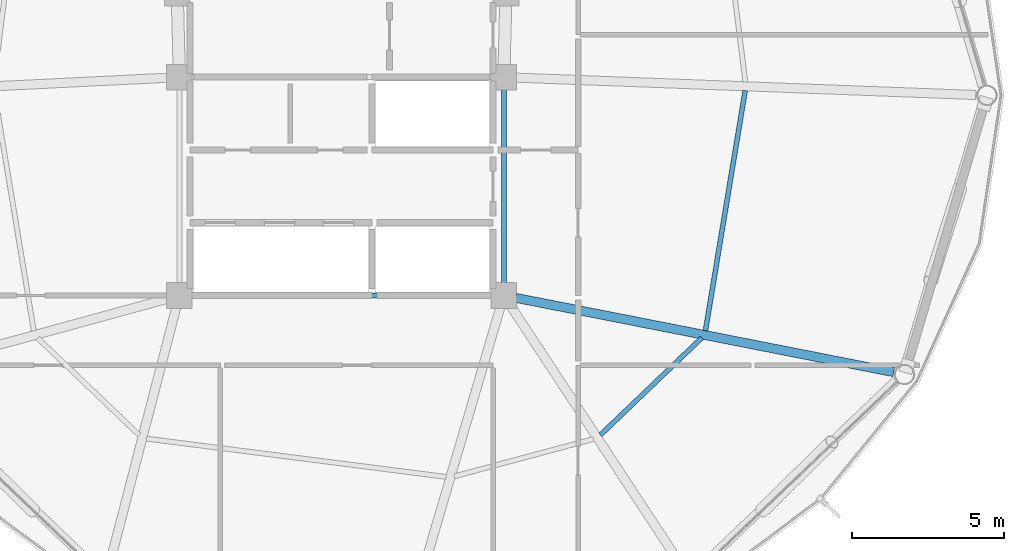
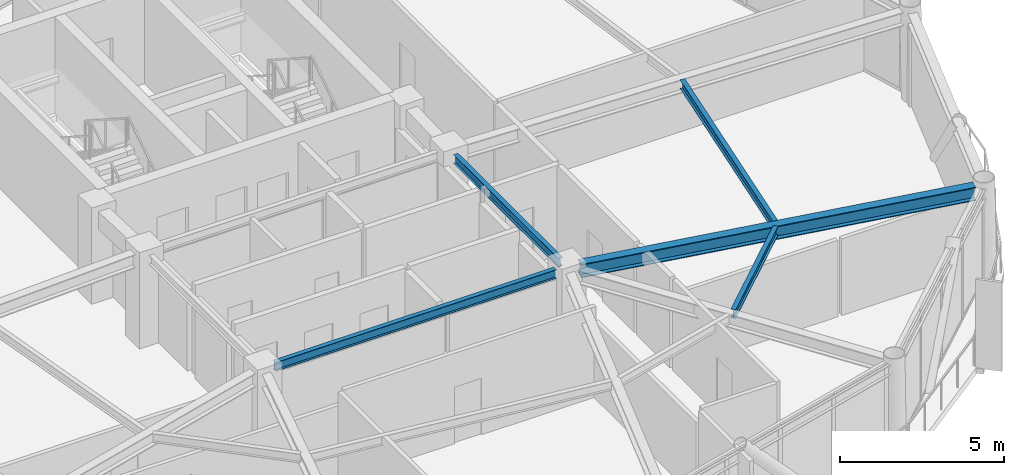
# One storey, part 10 of 28: 5 beams.
"""IFC4 building model written with IfcOpenShell, lengths in metres."""

from ifc_helpers import new_model, si_unit, direction, frame, origin, origin_2d, place, context, subcontext, project, spatial, i_section, extrude, material, material_profile, profile_set, type_object, element, save


model = new_model("IFC4")

# Units and contexts
model_context = context("Model", 3, precision=1e-05, world=origin(), true_north=direction((0.0, 1.0)))
body_context = subcontext(model_context, "Body", "Model", "MODEL_VIEW")
ifc_project = project(units=[si_unit("LENGTHUNIT", "METRE"), si_unit("AREAUNIT", "SQUARE_METRE"), si_unit("VOLUMEUNIT", "CUBIC_METRE"), si_unit("PLANEANGLEUNIT", "RADIAN"), si_unit("MASSUNIT", "GRAM", prefix="KILO")], contexts=[model_context])

# Site, building, storey
site_placement = place(None, origin())
site = spatial("IfcSite", under=ifc_project, at=site_placement, CompositionType="ELEMENT")
building_placement = place(site_placement, origin())
building = spatial("IfcBuilding", under=site, at=building_placement, Name="Varnakorn Sky Granary", CompositionType="ELEMENT")
storey_placement = place(building_placement, frame((0.0, 0.0, 196.800048828125)))
storey = spatial("IfcBuildingStorey", under=building, at=storey_placement, Name="L49", CompositionType="ELEMENT", Elevation=196.800048828125)

# Beams
ifc_material = material(Name="Steel S355JR", Category="steel")
ifc_material_profile_1 = material_profile(ifc_material, i_section(OverallWidth=0.300048828125, OverallDepth=0.5, WebThickness=0.014404296875, FlangeThickness=0.028076171875, at=origin_2d()), Name="HE 500 B")
ifc_profile_set_1 = profile_set([ifc_material_profile_1], Name="Steel S355JR")
beam_type_1 = type_object("IfcBeamType", Name="BM-RAD-Z4", PredefinedType="BEAM", material=ifc_profile_set_1)
beam_1_placement = place(storey_placement, frame((8.747314453125, -6.67822265625, 3.10986328125), z_axis=(0.981202874232, -0.192979065185, 0.0), x_axis=(0.192979065185, 0.981202874232, 0.0)))
element("IfcBeam", 1, at=beam_1_placement, inside=storey, type_object=beam_type_1, Name="Radial Floor Girder RG12 L49", PredefinedType="BEAM", context=body_context, shape_type="SweptSolid", body=[
    extrude(i_section(OverallWidth=0.300048828125, OverallDepth=0.5, WebThickness=0.014404296875, FlangeThickness=0.028076171875, at=origin_2d()), origin(), (0.0, 0.0, 1.0), 12.6953125),
])
ifc_material_profile_2 = material_profile(ifc_material, i_section(OverallWidth=0.159912109375, OverallDepth=0.330078125, WebThickness=0.007568359375, FlangeThickness=0.011474609375, at=origin_2d()), Name="IPE 330")
ifc_profile_set_2 = profile_set([ifc_material_profile_2], Name="Steel S355JR")
beam_type_2 = type_object("IfcBeamType", Name="BM-SEC-Z4", PredefinedType="BEAM", material=ifc_profile_set_2)
beam_2_placement = place(storey_placement, frame((11.535888671875, -11.198486328125, 3.195068359375), z_axis=(0.722124473649, 0.691763141948, 0.0), x_axis=(-0.691763141948, 0.722124473649, 0.0)))
element("IfcBeam", 2, at=beam_2_placement, inside=storey, type_object=beam_type_2, Name="Secondary Floor Chord Beam MSB11 L49", PredefinedType="BEAM", context=body_context, shape_type="SweptSolid", body=[
    extrude(i_section(OverallWidth=0.159912109375, OverallDepth=0.330078125, WebThickness=0.007568359375, FlangeThickness=0.011474609375, at=origin_2d()), origin(), (0.0, 0.0, 1.0), 4.623779296875),
])
beam_3_placement = place(storey_placement, frame((14.99853515625, -7.76513671875, 3.195068359375), z_axis=(0.163265342636, 0.986582195204, 0.0), x_axis=(-0.986582195204, 0.163265342636, 0.0)))
element("IfcBeam", 3, at=beam_3_placement, inside=storey, type_object=beam_type_2, Name="Secondary Floor Chord Beam MSB12 L49", PredefinedType="BEAM", context=body_context, shape_type="SweptSolid", body=[
    extrude(i_section(OverallWidth=0.159912109375, OverallDepth=0.330078125, WebThickness=0.007568359375, FlangeThickness=0.011474609375, at=origin_2d()), origin(), (0.0, 0.0, 1.0), 8.032958984375),
])
beam_4_placement = place(storey_placement, frame((8.35009765625, 0.195068359375, 3.195068359375), z_axis=(0.0, -1.0, 0.0), x_axis=(1.0, 0.0, 0.0)))
element("IfcBeam", 4, at=beam_4_placement, inside=storey, type_object=beam_type_2, Name="Core Spine Framing Beam 4 L49", PredefinedType="BEAM", context=body_context, shape_type="SweptSolid", body=[
    extrude(i_section(OverallWidth=0.159912109375, OverallDepth=0.330078125, WebThickness=0.007568359375, FlangeThickness=0.011474609375, at=origin_2d()), origin(), (0.0, 0.0, 1.0), 6.39013671875),
])
beam_5_placement = place(storey_placement, frame((-1.945068359375, -6.60009765625, 3.195068359375), z_axis=(1.0, 0.0, 0.0), x_axis=(0.0, 1.0, 0.0)))
element("IfcBeam", 5, at=beam_5_placement, inside=storey, type_object=beam_type_2, Name="Core Spine Framing Beam 6 L49", PredefinedType="BEAM", context=body_context, shape_type="SweptSolid", body=[
    extrude(i_section(OverallWidth=0.159912109375, OverallDepth=0.330078125, WebThickness=0.007568359375, FlangeThickness=0.011474609375, at=origin_2d()), origin(), (0.0, 0.0, 1.0), 9.89013671875),
])

save(model, "model.ifc")
